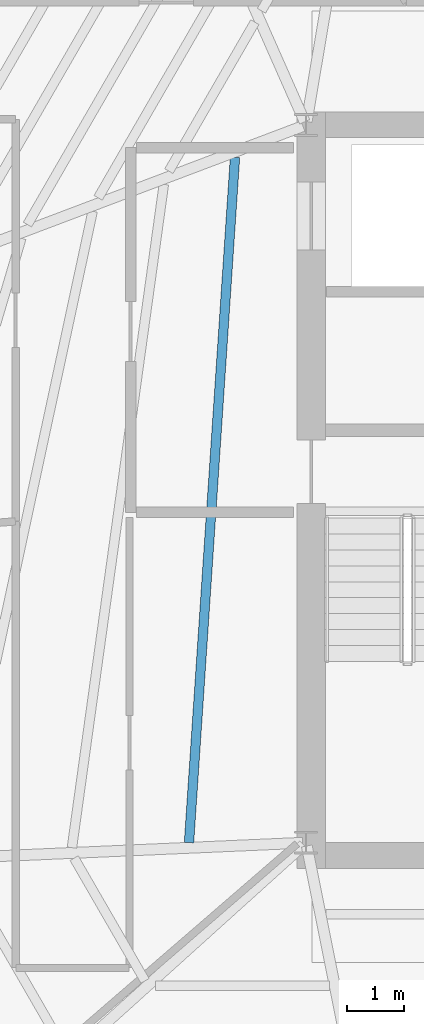
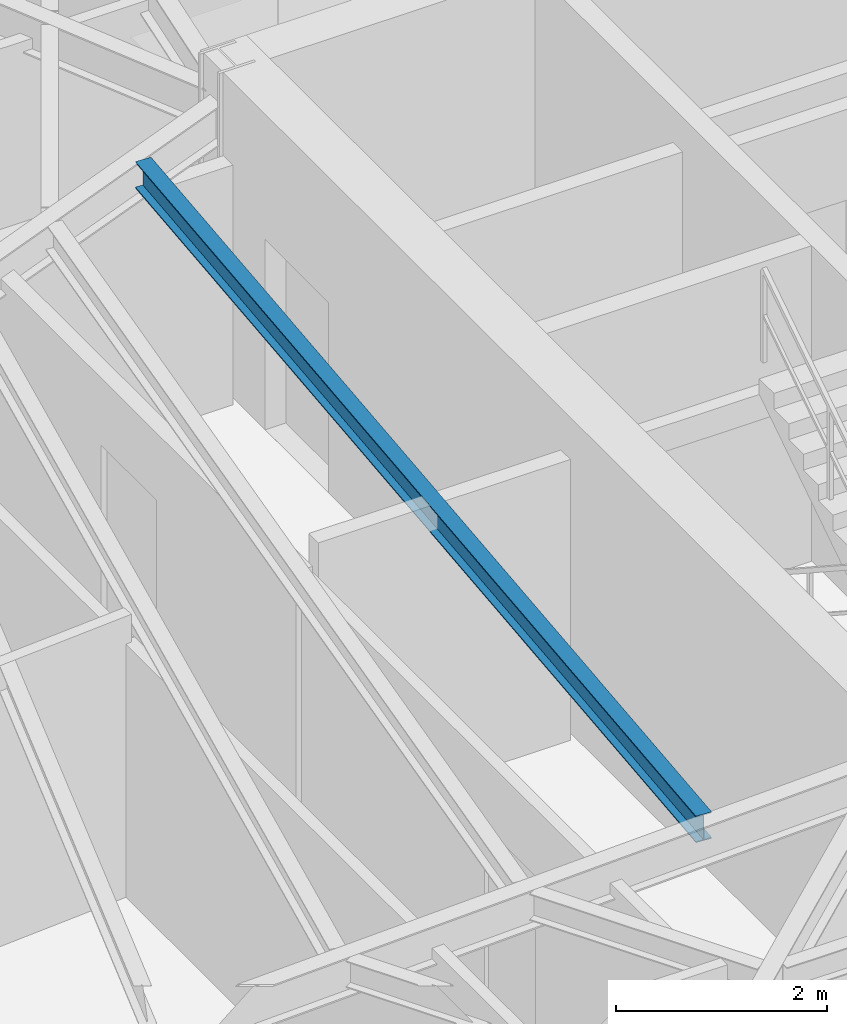
# One storey, part 13 of 40: 1 beam.
"""IFC4 building model written with IfcOpenShell, lengths in metres."""

import ifcopenshell
import ifcopenshell.guid

model = None  # the IFC model being written
_history = None  # IfcOwnerHistory: only IFC2X3 demands one
_inside = {}  # id of a spatial element -> (the spatial element, [elements in it])
_under = {}  # id of a project, library or spatial element -> (it, [spatial elements below it])
_declared = {}  # id of a project -> (the project, [libraries it declares])
_typed = {}  # id of a type object -> (the type object, [elements of that type])
_made_of = {}  # id of a material, layer set ... -> (it, [elements and type objects made of it])


def new_model(schema):
    """Start an empty IFC model of exactly this schema.

    Asked for "IFC4X3", IfcOpenShell would pick the latest addendum, in which some entities
    have other attributes; the version numbers below select the first issue.
    IFC2X3 requires an IfcOwnerHistory on every rooted entity: one is made here for all.
    """
    global model, _history
    if schema == "IFC4X3":
        model = ifcopenshell.file(schema_version=(4, 3, 0, 0))
    else:
        model = ifcopenshell.file(schema=schema)
    _inside.clear()
    _under.clear()
    _declared.clear()
    _typed.clear()
    _made_of.clear()
    _history = None
    if model.schema == "IFC2X3":
        org = make("IfcOrganization", Name="unknown")
        user = make(
            "IfcPersonAndOrganization",
            ThePerson=make("IfcPerson", FamilyName="unknown"),
            TheOrganization=org,
        )
        app = make(
            "IfcApplication",
            ApplicationDeveloper=org,
            Version="unknown",
            ApplicationFullName="unknown",
            ApplicationIdentifier="unknown",
        )
        _history = make(
            "IfcOwnerHistory",
            OwningUser=user,
            OwningApplication=app,
            ChangeAction="ADDED",
            CreationDate=0,
        )
    return model


def make(cls, **values):
    """One entity of the class cls with the attributes given. An attribute that is None is left unset."""
    return model.create_entity(
        cls, **{name: value for name, value in values.items() if value is not None}
    )


def rooted(cls, **values):
    """An entity with a GlobalId (a new one), such as an element, a storey or a relation."""
    return make(cls, GlobalId=ifcopenshell.guid.new(), OwnerHistory=_history, **values)


def si_unit(unit_type, name, prefix=None):
    """IfcSIUnit, for example si_unit("LENGTHUNIT", "METRE", prefix="MILLI")."""
    return make("IfcSIUnit", UnitType=unit_type, Prefix=prefix, Name=name)


def assignment(units):
    """IfcUnitAssignment: the units of a project."""
    return None if units is None else make("IfcUnitAssignment", Units=units)


def point(xyz):
    """IfcCartesianPoint."""
    return None if xyz is None else make("IfcCartesianPoint", Coordinates=xyz)


def direction(xyz):
    """IfcDirection."""
    return None if xyz is None else make("IfcDirection", DirectionRatios=xyz)


def frame(location, z_axis=None, x_axis=None):
    """IfcAxis2Placement3D, a coordinate frame: its origin and axes. An axis left out is left unset."""
    return make(
        "IfcAxis2Placement3D",
        Location=point(location),
        Axis=direction(z_axis),
        RefDirection=direction(x_axis),
    )


def frame_2d(location, x_axis=None):
    """IfcAxis2Placement2D, a coordinate frame in the plane: its origin and x axis."""
    return make(
        "IfcAxis2Placement2D", Location=point(location), RefDirection=direction(x_axis)
    )


def origin():
    """The frame at (0, 0, 0) with its axes left unset."""
    return frame((0.0, 0.0, 0.0))


def origin_2d():
    """The frame at (0, 0) in the plane with its x axis left unset."""
    return frame_2d((0.0, 0.0))


def place(relative_to, where):
    """IfcLocalPlacement: puts the frame where relative to a parent placement (None: the world)."""
    return make(
        "IfcLocalPlacement", PlacementRelTo=relative_to, RelativePlacement=where
    )


def context(
    kind, dimensions, precision=None, world=None, true_north=None, identifier=None
):
    """IfcGeometricRepresentationContext, for example the 3D "Model" context."""
    return make(
        "IfcGeometricRepresentationContext",
        ContextIdentifier=identifier,
        ContextType=kind,
        CoordinateSpaceDimension=dimensions,
        Precision=precision,
        WorldCoordinateSystem=world,
        TrueNorth=true_north,
    )


def subcontext(parent, identifier, kind, view, scale=None):
    """IfcGeometricRepresentationSubContext, for example "Body" below "Model"."""
    return make(
        "IfcGeometricRepresentationSubContext",
        ContextIdentifier=identifier,
        ContextType=kind,
        ParentContext=parent,
        TargetScale=scale,
        TargetView=view,
    )


def project(units=None, contexts=None):
    """IfcProject with its units and contexts."""
    return rooted(
        "IfcProject",
        Name="project",
        RepresentationContexts=contexts,
        UnitsInContext=assignment(units),
    )


def spatial(cls, under=None, at=None, **own):
    """A site, building, storey or space (cls), placed at a placement, below another one or the project."""
    s = rooted(cls, ObjectPlacement=at, **own)
    if under is not None:
        _under.setdefault(under.id(), (under, []))[1].append(s)
    return s


def profile(cls, at=None, kind="AREA", **sizes):
    """A parametric profile (cls). Its sizes go by their IFC names, for example OverallWidth=200.0."""
    return make(cls, ProfileType=kind, Position=at, **sizes)


def i_section(**sizes):
    """IfcIShapeProfileDef."""
    return profile("IfcIShapeProfileDef", **sizes)


def extrude(swept, where, along, depth):
    """IfcExtrudedAreaSolid: the profile swept, set in the frame where, extruded along a direction by depth."""
    return make(
        "IfcExtrudedAreaSolid",
        SweptArea=swept,
        Position=where,
        ExtrudedDirection=direction(along),
        Depth=depth,
    )


def shape(context_of_items, identifier, shape_type, items):
    """IfcShapeRepresentation: the items that make up one representation, for example the "Body"."""
    return make(
        "IfcShapeRepresentation",
        ContextOfItems=context_of_items,
        RepresentationIdentifier=identifier,
        RepresentationType=shape_type,
        Items=items,
    )


def source(mapping_origin, context_of_items, identifier, shape_type, items):
    """IfcRepresentationMap: a shape defined once, which mapped items show again and again."""
    return make(
        "IfcRepresentationMap",
        MappingOrigin=mapping_origin,
        MappedRepresentation=shape(context_of_items, identifier, shape_type, items),
    )


def transform(
    local_origin,
    x_axis=None,
    y_axis=None,
    z_axis=None,
    scale=None,
    scale2=None,
    scale3=None,
    uniform=True,
):
    """IfcCartesianTransformationOperator3D, or its non-uniform kind. x_axis, y_axis, z_axis: its Axis1, 2, 3."""
    if uniform:
        return make(
            "IfcCartesianTransformationOperator3D",
            Axis1=direction(x_axis),
            Axis2=direction(y_axis),
            LocalOrigin=point(local_origin),
            Scale=scale,
            Axis3=direction(z_axis),
        )
    return make(
        "IfcCartesianTransformationOperator3DnonUniform",
        Axis1=direction(x_axis),
        Axis2=direction(y_axis),
        LocalOrigin=point(local_origin),
        Scale=scale,
        Axis3=direction(z_axis),
        Scale2=scale2,
        Scale3=scale3,
    )


def mapped(mapping_source, mapping_target):
    """IfcMappedItem: shows the shape of a source again, moved by a transform."""
    return make(
        "IfcMappedItem", MappingSource=mapping_source, MappingTarget=mapping_target
    )


def material(Name=None, Category=None):
    """IfcMaterial."""
    return make("IfcMaterial", Name=Name, Category=Category)


def material_profile(
    of_material, cross_section, Name=None, Category=None, Priority=None
):
    """IfcMaterialProfile: a cross section and its material."""
    return make(
        "IfcMaterialProfile",
        Name=Name,
        Material=of_material,
        Profile=cross_section,
        Priority=Priority,
        Category=Category,
    )


def profile_set(profiles, Name=None, composite=None):
    """IfcMaterialProfileSet."""
    return make(
        "IfcMaterialProfileSet",
        Name=Name,
        MaterialProfiles=profiles,
        CompositeProfile=composite,
    )


def made_of(thing, what):
    """Note that an element or type object is made of a material, layer set ...; save() writes the relation."""
    if what is not None:
        _made_of.setdefault(what.id(), (what, []))[1].append(thing)
    return thing


def type_object(cls, material=None, **own):
    """A type object (cls), such as IfcWallType, which elements share."""
    return made_of(rooted(cls, **own), material)


def type_shapes(of_type, sources):
    """Give a type object the sources (RepresentationMaps) that its elements show as mapped items."""
    of_type.RepresentationMaps = sources


def element(
    cls,
    number,
    at=None,
    inside=None,
    cuts=None,
    type_object=None,
    material=None,
    context=None,
    identifier="Body",
    shape_type=None,
    held_by="IfcProductDefinitionShape",
    body=None,
    shapes=None,
    **own,
):
    """One element of the class cls, such as IfcWall. Its Tag is "e" and its number.

    at: its placement. inside: the storey or other place that contains it. cuts: it is an
    opening in that element (IfcRelVoidsElement). A single representation is given by context,
    identifier, shape_type and body (its items); several are given by shapes. held_by: the class
    of the entity that holds the representations. save() writes the other relations.
    """
    e = rooted(cls, Tag="e%d" % number, ObjectPlacement=at, **own)
    if body is not None:
        shapes = [shape(context, identifier, shape_type, body)]
    if shapes is not None:
        e.Representation = make(held_by, Representations=shapes)
    if inside is not None:
        _inside.setdefault(inside.id(), (inside, []))[1].append(e)
    if cuts is not None:
        rooted(
            "IfcRelVoidsElement", RelatingBuildingElement=cuts, RelatedOpeningElement=e
        )
    if type_object is not None:
        _typed.setdefault(type_object.id(), (type_object, []))[1].append(e)
    return made_of(e, material)


def aggregate(whole, parts):
    """IfcRelAggregates: a whole, such as a stair, and the parts it consists of."""
    return rooted("IfcRelAggregates", RelatingObject=whole, RelatedObjects=parts)


def save(model, path):
    """Write the relations noted so far, then the file.

    IfcRelAggregates (storeys below a building ...), IfcRelContainedInSpatialStructure (elements
    in a storey), IfcRelDefinesByType, IfcRelAssociatesMaterial and IfcRelDeclares: one each for
    every whole, place, type object, material and project.
    """
    for whole, parts in _under.values():
        aggregate(whole, parts)
    for where, things in _inside.values():
        rooted(
            "IfcRelContainedInSpatialStructure",
            RelatedElements=things,
            RelatingStructure=where,
        )
    for kind, things in _typed.values():
        rooted("IfcRelDefinesByType", RelatedObjects=things, RelatingType=kind)
    for what, things in _made_of.values():
        rooted("IfcRelAssociatesMaterial", RelatedObjects=things, RelatingMaterial=what)
    for by, libraries in _declared.values():
        rooted("IfcRelDeclares", RelatingContext=by, RelatedDefinitions=libraries)
    model.write(path)


model = new_model("IFC4")

# Units and contexts
model_context = context("Model", 3, precision=1e-05, world=origin(), true_north=direction((0.0, 1.0)))
body_context = subcontext(model_context, "Body", "Model", "MODEL_VIEW")
ifc_project = project(units=[si_unit("LENGTHUNIT", "METRE"), si_unit("AREAUNIT", "SQUARE_METRE"), si_unit("VOLUMEUNIT", "CUBIC_METRE"), si_unit("PLANEANGLEUNIT", "RADIAN"), si_unit("MASSUNIT", "GRAM", prefix="KILO")], contexts=[model_context])

# Site, building, storey
site_placement = place(None, origin())
site = spatial("IfcSite", under=ifc_project, at=site_placement, CompositionType="ELEMENT")
building_placement = place(site_placement, origin())
building = spatial("IfcBuilding", under=site, at=building_placement, Name="Caelisora Broadcast Tower", CompositionType="ELEMENT")
storey_placement = place(building_placement, frame((0.0, 0.0, 216.89990234375)))
storey = spatial("IfcBuildingStorey", under=building, at=storey_placement, Name="L57", CompositionType="ELEMENT", Elevation=216.89990234375)

# Beam
ifc_material = material(Name="Steel Grade 350 (AS/NZS 3679.1)", Category="steel")
ifc_material_profile = material_profile(ifc_material, i_section(OverallWidth=0.166015625, OverallDepth=0.30712890625, WebThickness=0.006591796875, FlangeThickness=0.01171875, at=origin_2d()), Name="Steel Grade 350 (AS/NZS 3679.1)")
ifc_profile_set = profile_set([ifc_material_profile], Name="Steel Grade 350 (AS/NZS 3679.1)")
beam_type = type_object("IfcBeamType", Name="SB03", PredefinedType="JOIST", material=ifc_profile_set)
shared_shape = source(origin(), body_context, "Body", "SweptSolid", [
    extrude(i_section(OverallWidth=0.166015625, OverallDepth=0.30712890625, WebThickness=0.006591796875, FlangeThickness=0.01171875, at=origin_2d()), origin(), (0.0, 0.0, 1.0), 12.0537109375),
])
type_shapes(beam_type, [shared_shape])
beam_placement = place(storey_placement, frame((29.251708984375, 29.428955078125, 3.096435546875), z_axis=(-0.066981450002, -0.997754220916, 0.0), x_axis=(0.997754220916, -0.066981450002, 0.0)))
element("IfcBeam", 1, at=beam_placement, inside=storey, type_object=beam_type, Name="L57 beam SB03", PredefinedType="JOIST", context=body_context, shape_type="MappedRepresentation", body=[
    mapped(shared_shape, transform((0.0, 0.0, 0.0), scale=1.0)),
])

save(model, "model.ifc")
